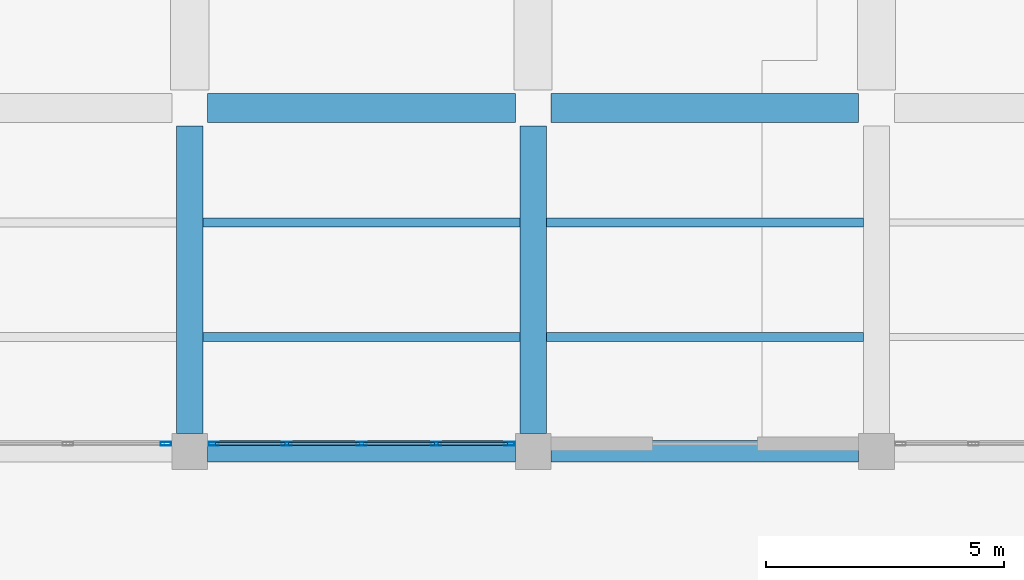
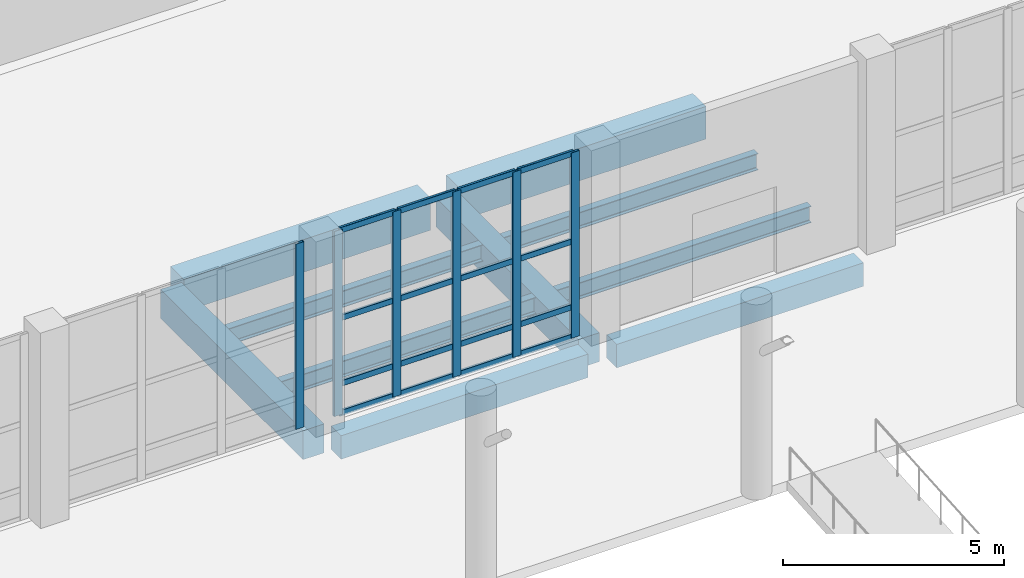
# One storey, part 12 of 137: 22 members, 10 beams, 2 elements without a shape of their own.
"""IFC4 building model written with IfcOpenShell, lengths in metres."""

from ifc_helpers import new_model, si_unit, direction, frame, origin, origin_2d, place, context, subcontext, project, spatial, rectangle, hollow_rectangle, i_section, extrude, material, material_profile, profile_set, type_object, element, aggregate, save


model = new_model("IFC4")

# Units and contexts
model_context = context("Model", 3, precision=1e-05, world=origin(), true_north=direction((0.0, 1.0)))
body_context = subcontext(model_context, "Body", "Model", "MODEL_VIEW")
ifc_project = project(units=[si_unit("LENGTHUNIT", "METRE"), si_unit("AREAUNIT", "SQUARE_METRE"), si_unit("VOLUMEUNIT", "CUBIC_METRE"), si_unit("PLANEANGLEUNIT", "RADIAN"), si_unit("MASSUNIT", "GRAM", prefix="KILO")], contexts=[model_context])

# Site, building, storey
site_placement = place(None, origin())
site = spatial("IfcSite", under=ifc_project, at=site_placement, CompositionType="ELEMENT")
building_placement = place(site_placement, origin())
building = spatial("IfcBuilding", under=site, at=building_placement, Name="Kalmorath City Hall", CompositionType="ELEMENT")
storey_placement = place(building_placement, origin())
storey = spatial("IfcBuildingStorey", under=building, at=storey_placement, Name="L00", CompositionType="ELEMENT", Elevation=0.0)

# Beams
ifc_material_1 = material(Name="Concrete C40/50", Category="concrete")
ifc_material_profile_1 = material_profile(ifc_material_1, rectangle(XDim=0.550048828125, YDim=0.800048828125, at=origin_2d()), Name="RC-BM-550X800")
ifc_profile_set_1 = profile_set([ifc_material_profile_1], Name="Concrete C40/50")
beam_type_1 = type_object("IfcBeamType", Name="Concrete floor girder 550x800", PredefinedType="BEAM", material=ifc_profile_set_1)
for number, where, z_axis, x_axis, name in (
    (1, (50.39990234375, 21.97509765625, -0.7041015625), (0.0, 1.0, 0.0), (-1.0, 0.0, 0.0), "L00 girder CB2 Y8/4-5"),
    (2, (57.60009765625, 21.97509765625, -0.7041015625), (0.0, 1.0, 0.0), (-1.0, 0.0, 0.0), "L00 girder CB2 Y9/4-5"),
):
    element("IfcBeam", number, at=place(storey_placement, frame(where, z_axis=z_axis, x_axis=x_axis)), inside=storey, type_object=beam_type_1, Name=name, PredefinedType="BEAM", context=body_context, shape_type="SweptSolid", body=[
        extrude(rectangle(XDim=0.550048828125, YDim=0.800048828125, at=origin_2d()), origin(), (0.0, 0.0, 1.0), 6.449951171875),
    ])
ifc_material_2 = material(Name="Concrete C40/50", Category="concrete")
ifc_material_profile_2 = material_profile(ifc_material_2, rectangle(XDim=0.60009765625, YDim=0.89990234375, at=origin_2d()), Name="RC-BM-600X900")
ifc_profile_set_2 = profile_set([ifc_material_profile_2], Name="Concrete C40/50")
beam_type_2 = type_object("IfcBeamType", Name="Concrete floor girder 600x900", PredefinedType="BEAM", material=ifc_profile_set_2)
beam_1_placement = place(storey_placement, frame((50.77490234375, 28.800048828125, -0.75390625), z_axis=(1.0, 0.0, 0.0), x_axis=(0.0, 1.0, 0.0)))
element("IfcBeam", 3, at=beam_1_placement, inside=storey, type_object=beam_type_2, Name="L00 girder CB1 X8-9/5", PredefinedType="BEAM", context=body_context, shape_type="SweptSolid", body=[
    extrude(rectangle(XDim=0.60009765625, YDim=0.89990234375, at=origin_2d()), origin(), (0.0, 0.0, 1.0), 6.4501953125),
])
beam_2_placement = place(storey_placement, frame((57.97509765625, 28.800048828125, -0.75390625), z_axis=(1.0, 0.0, 0.0), x_axis=(0.0, 1.0, 0.0)))
element("IfcBeam", 4, at=beam_2_placement, inside=storey, type_object=beam_type_2, Name="L00 girder CB1 X9-10/5", PredefinedType="BEAM", context=body_context, shape_type="SweptSolid", body=[
    extrude(rectangle(XDim=0.60009765625, YDim=0.89990234375, at=origin_2d()), origin(), (0.0, 0.0, 1.0), 6.449951171875),
])
ifc_material_3 = material(Name="Concrete C40/50", Category="concrete")
ifc_material_profile_3 = material_profile(ifc_material_3, rectangle(XDim=0.449951171875, YDim=0.64990234375, at=origin_2d()), Name="RC-BM-450X650")
ifc_profile_set_3 = profile_set([ifc_material_profile_3], Name="Concrete C40/50")
beam_type_3 = type_object("IfcBeamType", Name="Concrete spandrel beam 450x650", PredefinedType="SPANDREL", material=ifc_profile_set_3)
beam_3_placement = place(storey_placement, frame((50.77490234375, 21.60009765625, -0.62890625), z_axis=(1.0, 0.0, 0.0), x_axis=(0.0, 1.0, 0.0)))
element("IfcBeam", 5, at=beam_3_placement, inside=storey, type_object=beam_type_3, Name="L00 girder CB5 X8-9/4", PredefinedType="SPANDREL", context=body_context, shape_type="SweptSolid", body=[
    extrude(rectangle(XDim=0.449951171875, YDim=0.64990234375, at=origin_2d()), origin(), (0.0, 0.0, 1.0), 6.4501953125),
])
beam_4_placement = place(storey_placement, frame((57.97509765625, 21.60009765625, -0.62890625), z_axis=(1.0, 0.0, 0.0), x_axis=(0.0, 1.0, 0.0)))
element("IfcBeam", 6, at=beam_4_placement, inside=storey, type_object=beam_type_3, Name="L00 girder CB5 X9-10/4", PredefinedType="SPANDREL", context=body_context, shape_type="SweptSolid", body=[
    extrude(rectangle(XDim=0.449951171875, YDim=0.64990234375, at=origin_2d()), origin(), (0.0, 0.0, 1.0), 6.449951171875),
])

# Curtain wall, members
ifc_material_4 = material(Name="Anodised aluminium and laminated glass", Category="aluminium")
curtain_wall_type_1 = type_object("IfcCurtainWallType", Name="Unitised hurricane curtain wall 6270x5120 M1500", PredefinedType="NOTDEFINED", material=ifc_material_4)
curtain_wall_1_placement = place(storey_placement, origin())
curtain_wall_1 = element("IfcCurtainWall", 7, at=curtain_wall_1_placement, inside=storey, type_object=curtain_wall_type_1, Name="L00 curtain wall CW-63X51M15 #24", PredefinedType="NOTDEFINED")
ifc_material_5 = material(Name="Anodised aluminium framing", Category="aluminium")
ifc_material_profile_4 = material_profile(ifc_material_5, hollow_rectangle(XDim=0.074951171875, YDim=0.219970703125, WallThickness=0.00390625, InnerFilletRadius=0.00390625, OuterFilletRadius=0.008056640625, at=origin_2d()), Name="ALU-MUL-220X75X4")
ifc_profile_set_4 = profile_set([ifc_material_profile_4], Name="Anodised aluminium framing")
member_type_1 = type_object("IfcMemberType", Name="Curtain-wall primary mullion 220x75", PredefinedType="MULLION", material=ifc_profile_set_4)
member_1_placement = place(storey_placement, frame((57.097412109375, 21.760009765625, 0.0), z_axis=(0.0, 0.0, 1.0), x_axis=(0.0, -1.0, 0.0)))
member_1 = element("IfcMember", 8, at=member_1_placement, type_object=member_type_1, Name="CW-63X51M15 mullion 1", PredefinedType="MULLION", context=body_context, shape_type="SweptSolid", body=[
    extrude(hollow_rectangle(XDim=0.074951171875, YDim=0.219970703125, WallThickness=0.00390625, InnerFilletRadius=0.00390625, OuterFilletRadius=0.008056640625, at=origin_2d()), origin(), (0.0, 0.0, 1.0), 5.1201171875),
])
member_2_placement = place(storey_placement, frame((55.5673828125, 21.760009765625, 0.0), z_axis=(0.0, 0.0, 1.0), x_axis=(0.0, -1.0, 0.0)))
member_2 = element("IfcMember", 9, at=member_2_placement, type_object=member_type_1, Name="CW-63X51M15 mullion 2", PredefinedType="MULLION", context=body_context, shape_type="SweptSolid", body=[
    extrude(hollow_rectangle(XDim=0.074951171875, YDim=0.219970703125, WallThickness=0.00390625, InnerFilletRadius=0.00390625, OuterFilletRadius=0.008056640625, at=origin_2d()), origin(), (0.0, 0.0, 1.0), 5.1201171875),
])
member_3_placement = place(storey_placement, frame((54.0, 21.760009765625, 0.0), z_axis=(0.0, 0.0, 1.0), x_axis=(0.0, -1.0, 0.0)))
member_3 = element("IfcMember", 10, at=member_3_placement, type_object=member_type_1, Name="CW-63X51M15 mullion 3", PredefinedType="MULLION", context=body_context, shape_type="SweptSolid", body=[
    extrude(hollow_rectangle(XDim=0.074951171875, YDim=0.219970703125, WallThickness=0.00390625, InnerFilletRadius=0.00390625, OuterFilletRadius=0.008056640625, at=origin_2d()), origin(), (0.0, 0.0, 1.0), 5.1201171875),
])
member_4_placement = place(storey_placement, frame((52.4326171875, 21.760009765625, 0.0), z_axis=(0.0, 0.0, 1.0), x_axis=(0.0, -1.0, 0.0)))
member_4 = element("IfcMember", 11, at=member_4_placement, type_object=member_type_1, Name="CW-63X51M15 mullion 4", PredefinedType="MULLION", context=body_context, shape_type="SweptSolid", body=[
    extrude(hollow_rectangle(XDim=0.074951171875, YDim=0.219970703125, WallThickness=0.00390625, InnerFilletRadius=0.00390625, OuterFilletRadius=0.008056640625, at=origin_2d()), origin(), (0.0, 0.0, 1.0), 5.1201171875),
])
member_5_placement = place(storey_placement, frame((50.902587890625, 21.760009765625, 0.0), z_axis=(0.0, 0.0, 1.0), x_axis=(0.0, -1.0, 0.0)))
member_5 = element("IfcMember", 12, at=member_5_placement, type_object=member_type_1, Name="CW-63X51M15 mullion 5", PredefinedType="MULLION", context=body_context, shape_type="SweptSolid", body=[
    extrude(hollow_rectangle(XDim=0.074951171875, YDim=0.219970703125, WallThickness=0.00390625, InnerFilletRadius=0.00390625, OuterFilletRadius=0.008056640625, at=origin_2d()), origin(), (0.0, 0.0, 1.0), 5.1201171875),
])

# Curtain wall, member
ifc_material_6 = material(Name="Anodised aluminium and laminated glass", Category="aluminium")
curtain_wall_type_2 = type_object("IfcCurtainWallType", Name="Unitised hurricane curtain wall 6270x5120 M1800", PredefinedType="NOTDEFINED", material=ifc_material_6)
curtain_wall_2_placement = place(storey_placement, origin())
curtain_wall_2 = element("IfcCurtainWall", 13, at=curtain_wall_2_placement, inside=storey, type_object=curtain_wall_type_2, Name="L00 curtain wall CW-63X51M18 #25", PredefinedType="NOTDEFINED")
member_6_placement = place(storey_placement, frame((49.8974609375, 21.760009765625, 0.0), z_axis=(0.0, 0.0, 1.0), x_axis=(0.0, -1.0, 0.0)))
member_6 = element("IfcMember", 14, at=member_6_placement, type_object=member_type_1, Name="CW-63X51M18 mullion 1", PredefinedType="MULLION", context=body_context, shape_type="SweptSolid", body=[
    extrude(hollow_rectangle(XDim=0.074951171875, YDim=0.219970703125, WallThickness=0.00390625, InnerFilletRadius=0.00390625, OuterFilletRadius=0.008056640625, at=origin_2d()), origin(), (0.0, 0.0, 1.0), 5.1201171875),
])
aggregate(curtain_wall_2, [member_6])

# Member
ifc_material_7 = material(Name="Anodised aluminium framing", Category="aluminium")
ifc_material_profile_5 = material_profile(ifc_material_7, hollow_rectangle(XDim=0.06494140625, YDim=0.159912109375, WallThickness=0.00390625, InnerFilletRadius=0.00390625, OuterFilletRadius=0.008056640625, at=origin_2d()), Name="ALU-TRN-160X65X4")
ifc_profile_set_5 = profile_set([ifc_material_profile_5], Name="Anodised aluminium framing")
member_type_2 = type_object("IfcMemberType", Name="Curtain-wall primary transom 160x65", PredefinedType="USERDEFINED", material=ifc_profile_set_5)
member_7_placement = place(storey_placement, frame((57.06005859375, 21.760009765625, 0.032470703125), z_axis=(-1.0, 0.0, 0.0), x_axis=(0.0, -1.0, 0.0)))
member_7 = element("IfcMember", 15, at=member_7_placement, type_object=member_type_2, Name="CW-63X51M15 transom 1.1", ObjectType="TRANSOM", PredefinedType="USERDEFINED", context=body_context, shape_type="SweptSolid", body=[
    extrude(hollow_rectangle(XDim=0.06494140625, YDim=0.159912109375, WallThickness=0.00390625, InnerFilletRadius=0.00390625, OuterFilletRadius=0.008056640625, at=origin_2d()), origin(), (0.0, 0.0, 1.0), 1.455078125),
])

member_8_placement = place(storey_placement, frame((57.06005859375, 21.760009765625, 0.85009765625), z_axis=(-1.0, 0.0, 0.0), x_axis=(0.0, -1.0, 0.0)))
member_8 = element("IfcMember", 16, at=member_8_placement, type_object=member_type_2, Name="CW-63X51M15 transom 1.2", ObjectType="TRANSOM", PredefinedType="USERDEFINED", context=body_context, shape_type="SweptSolid", body=[
    extrude(hollow_rectangle(XDim=0.06494140625, YDim=0.159912109375, WallThickness=0.00390625, InnerFilletRadius=0.00390625, OuterFilletRadius=0.008056640625, at=origin_2d()), origin(), (0.0, 0.0, 1.0), 1.455078125),
])

member_9_placement = place(storey_placement, frame((57.06005859375, 21.760009765625, 2.662109375), z_axis=(-1.0, 0.0, 0.0), x_axis=(0.0, -1.0, 0.0)))
member_9 = element("IfcMember", 17, at=member_9_placement, type_object=member_type_2, Name="CW-63X51M15 transom 1.3", ObjectType="TRANSOM", PredefinedType="USERDEFINED", context=body_context, shape_type="SweptSolid", body=[
    extrude(hollow_rectangle(XDim=0.06494140625, YDim=0.159912109375, WallThickness=0.00390625, InnerFilletRadius=0.00390625, OuterFilletRadius=0.008056640625, at=origin_2d()), origin(), (0.0, 0.0, 1.0), 1.455078125),
])

member_10_placement = place(storey_placement, frame((57.06005859375, 21.760009765625, 5.08740234375), z_axis=(-1.0, 0.0, 0.0), x_axis=(0.0, -1.0, 0.0)))
member_10 = element("IfcMember", 18, at=member_10_placement, type_object=member_type_2, Name="CW-63X51M15 transom 1.4", ObjectType="TRANSOM", PredefinedType="USERDEFINED", context=body_context, shape_type="SweptSolid", body=[
    extrude(hollow_rectangle(XDim=0.06494140625, YDim=0.159912109375, WallThickness=0.00390625, InnerFilletRadius=0.00390625, OuterFilletRadius=0.008056640625, at=origin_2d()), origin(), (0.0, 0.0, 1.0), 1.455078125),
])

member_11_placement = place(storey_placement, frame((55.530029296875, 21.760009765625, 0.032470703125), z_axis=(-1.0, 0.0, 0.0), x_axis=(0.0, -1.0, 0.0)))
member_11 = element("IfcMember", 19, at=member_11_placement, type_object=member_type_2, Name="CW-63X51M15 transom 2.1", ObjectType="TRANSOM", PredefinedType="USERDEFINED", context=body_context, shape_type="SweptSolid", body=[
    extrude(hollow_rectangle(XDim=0.06494140625, YDim=0.159912109375, WallThickness=0.00390625, InnerFilletRadius=0.00390625, OuterFilletRadius=0.008056640625, at=origin_2d()), origin(), (0.0, 0.0, 1.0), 1.492431640625),
])

member_12_placement = place(storey_placement, frame((55.530029296875, 21.760009765625, 0.85009765625), z_axis=(-1.0, 0.0, 0.0), x_axis=(0.0, -1.0, 0.0)))
member_12 = element("IfcMember", 20, at=member_12_placement, type_object=member_type_2, Name="CW-63X51M15 transom 2.2", ObjectType="TRANSOM", PredefinedType="USERDEFINED", context=body_context, shape_type="SweptSolid", body=[
    extrude(hollow_rectangle(XDim=0.06494140625, YDim=0.159912109375, WallThickness=0.00390625, InnerFilletRadius=0.00390625, OuterFilletRadius=0.008056640625, at=origin_2d()), origin(), (0.0, 0.0, 1.0), 1.492431640625),
])

member_13_placement = place(storey_placement, frame((55.530029296875, 21.760009765625, 2.662109375), z_axis=(-1.0, 0.0, 0.0), x_axis=(0.0, -1.0, 0.0)))
member_13 = element("IfcMember", 21, at=member_13_placement, type_object=member_type_2, Name="CW-63X51M15 transom 2.3", ObjectType="TRANSOM", PredefinedType="USERDEFINED", context=body_context, shape_type="SweptSolid", body=[
    extrude(hollow_rectangle(XDim=0.06494140625, YDim=0.159912109375, WallThickness=0.00390625, InnerFilletRadius=0.00390625, OuterFilletRadius=0.008056640625, at=origin_2d()), origin(), (0.0, 0.0, 1.0), 1.492431640625),
])

member_14_placement = place(storey_placement, frame((55.530029296875, 21.760009765625, 5.08740234375), z_axis=(-1.0, 0.0, 0.0), x_axis=(0.0, -1.0, 0.0)))
member_14 = element("IfcMember", 22, at=member_14_placement, type_object=member_type_2, Name="CW-63X51M15 transom 2.4", ObjectType="TRANSOM", PredefinedType="USERDEFINED", context=body_context, shape_type="SweptSolid", body=[
    extrude(hollow_rectangle(XDim=0.06494140625, YDim=0.159912109375, WallThickness=0.00390625, InnerFilletRadius=0.00390625, OuterFilletRadius=0.008056640625, at=origin_2d()), origin(), (0.0, 0.0, 1.0), 1.492431640625),
])

member_15_placement = place(storey_placement, frame((53.96240234375, 21.760009765625, 0.032470703125), z_axis=(-1.0, 0.0, 0.0), x_axis=(0.0, -1.0, 0.0)))
member_15 = element("IfcMember", 23, at=member_15_placement, type_object=member_type_2, Name="CW-63X51M15 transom 3.1", ObjectType="TRANSOM", PredefinedType="USERDEFINED", context=body_context, shape_type="SweptSolid", body=[
    extrude(hollow_rectangle(XDim=0.06494140625, YDim=0.159912109375, WallThickness=0.00390625, InnerFilletRadius=0.00390625, OuterFilletRadius=0.008056640625, at=origin_2d()), origin(), (0.0, 0.0, 1.0), 1.492431640625),
])

member_16_placement = place(storey_placement, frame((53.96240234375, 21.760009765625, 0.85009765625), z_axis=(-1.0, 0.0, 0.0), x_axis=(0.0, -1.0, 0.0)))
member_16 = element("IfcMember", 24, at=member_16_placement, type_object=member_type_2, Name="CW-63X51M15 transom 3.2", ObjectType="TRANSOM", PredefinedType="USERDEFINED", context=body_context, shape_type="SweptSolid", body=[
    extrude(hollow_rectangle(XDim=0.06494140625, YDim=0.159912109375, WallThickness=0.00390625, InnerFilletRadius=0.00390625, OuterFilletRadius=0.008056640625, at=origin_2d()), origin(), (0.0, 0.0, 1.0), 1.492431640625),
])

member_17_placement = place(storey_placement, frame((53.96240234375, 21.760009765625, 2.662109375), z_axis=(-1.0, 0.0, 0.0), x_axis=(0.0, -1.0, 0.0)))
member_17 = element("IfcMember", 25, at=member_17_placement, type_object=member_type_2, Name="CW-63X51M15 transom 3.3", ObjectType="TRANSOM", PredefinedType="USERDEFINED", context=body_context, shape_type="SweptSolid", body=[
    extrude(hollow_rectangle(XDim=0.06494140625, YDim=0.159912109375, WallThickness=0.00390625, InnerFilletRadius=0.00390625, OuterFilletRadius=0.008056640625, at=origin_2d()), origin(), (0.0, 0.0, 1.0), 1.492431640625),
])

member_18_placement = place(storey_placement, frame((53.96240234375, 21.760009765625, 5.08740234375), z_axis=(-1.0, 0.0, 0.0), x_axis=(0.0, -1.0, 0.0)))
member_18 = element("IfcMember", 26, at=member_18_placement, type_object=member_type_2, Name="CW-63X51M15 transom 3.4", ObjectType="TRANSOM", PredefinedType="USERDEFINED", context=body_context, shape_type="SweptSolid", body=[
    extrude(hollow_rectangle(XDim=0.06494140625, YDim=0.159912109375, WallThickness=0.00390625, InnerFilletRadius=0.00390625, OuterFilletRadius=0.008056640625, at=origin_2d()), origin(), (0.0, 0.0, 1.0), 1.492431640625),
])

member_19_placement = place(storey_placement, frame((52.39501953125, 21.760009765625, 0.032470703125), z_axis=(-1.0, 0.0, 0.0), x_axis=(0.0, -1.0, 0.0)))
member_19 = element("IfcMember", 27, at=member_19_placement, type_object=member_type_2, Name="CW-63X51M15 transom 4.1", ObjectType="TRANSOM", PredefinedType="USERDEFINED", context=body_context, shape_type="SweptSolid", body=[
    extrude(hollow_rectangle(XDim=0.06494140625, YDim=0.159912109375, WallThickness=0.00390625, InnerFilletRadius=0.00390625, OuterFilletRadius=0.008056640625, at=origin_2d()), origin(), (0.0, 0.0, 1.0), 1.455078125),
])

member_20_placement = place(storey_placement, frame((52.39501953125, 21.760009765625, 0.85009765625), z_axis=(-1.0, 0.0, 0.0), x_axis=(0.0, -1.0, 0.0)))
member_20 = element("IfcMember", 28, at=member_20_placement, type_object=member_type_2, Name="CW-63X51M15 transom 4.2", ObjectType="TRANSOM", PredefinedType="USERDEFINED", context=body_context, shape_type="SweptSolid", body=[
    extrude(hollow_rectangle(XDim=0.06494140625, YDim=0.159912109375, WallThickness=0.00390625, InnerFilletRadius=0.00390625, OuterFilletRadius=0.008056640625, at=origin_2d()), origin(), (0.0, 0.0, 1.0), 1.455078125),
])

member_21_placement = place(storey_placement, frame((52.39501953125, 21.760009765625, 2.662109375), z_axis=(-1.0, 0.0, 0.0), x_axis=(0.0, -1.0, 0.0)))
member_21 = element("IfcMember", 29, at=member_21_placement, type_object=member_type_2, Name="CW-63X51M15 transom 4.3", ObjectType="TRANSOM", PredefinedType="USERDEFINED", context=body_context, shape_type="SweptSolid", body=[
    extrude(hollow_rectangle(XDim=0.06494140625, YDim=0.159912109375, WallThickness=0.00390625, InnerFilletRadius=0.00390625, OuterFilletRadius=0.008056640625, at=origin_2d()), origin(), (0.0, 0.0, 1.0), 1.455078125),
])

member_22_placement = place(storey_placement, frame((52.39501953125, 21.760009765625, 5.08740234375), z_axis=(-1.0, 0.0, 0.0), x_axis=(0.0, -1.0, 0.0)))
member_22 = element("IfcMember", 30, at=member_22_placement, type_object=member_type_2, Name="CW-63X51M15 transom 4.4", ObjectType="TRANSOM", PredefinedType="USERDEFINED", context=body_context, shape_type="SweptSolid", body=[
    extrude(hollow_rectangle(XDim=0.06494140625, YDim=0.159912109375, WallThickness=0.00390625, InnerFilletRadius=0.00390625, OuterFilletRadius=0.008056640625, at=origin_2d()), origin(), (0.0, 0.0, 1.0), 1.455078125),
])

aggregate(curtain_wall_1, [member_1, member_2, member_3, member_4, member_5, member_7, member_8, member_9, member_10, member_11, member_12, member_13, member_14, member_15, member_16, member_17, member_18, member_19, member_20, member_21, member_22])

# Beams
ifc_material_8 = material(Name="Steel ASTM A992 Grade 50", Category="steel")
ifc_material_profile_6 = material_profile(ifc_material_8, i_section(OverallWidth=0.19091796875, OverallDepth=0.45703125, WebThickness=0.009033203125, FlangeThickness=0.014404296875, FilletRadius=0.013916015625, at=origin_2d()), Name="W18X50")
ifc_profile_set_6 = profile_set([ifc_material_profile_6], Name="Steel ASTM A992 Grade 50")
beam_type_4 = type_object("IfcBeamType", Name="Steel composite joist W18X50", PredefinedType="JOIST", material=ifc_profile_set_6)
for number, where, z_axis, x_axis, name in (
    (31, (57.875, 24.0, -0.532470703125), (1.0, 0.0, 0.0), (0.0, 1.0, 0.0), "L00 joist SJ3 9.4.1"),
    (32, (57.875, 26.39990234375, -0.532470703125), (1.0, 0.0, 0.0), (0.0, 1.0, 0.0), "L00 joist SJ3 9.4.2"),
):
    element("IfcBeam", number, at=place(storey_placement, frame(where, z_axis=z_axis, x_axis=x_axis)), inside=storey, type_object=beam_type_4, Name=name, PredefinedType="JOIST", context=body_context, shape_type="SweptSolid", body=[
        extrude(i_section(OverallWidth=0.19091796875, OverallDepth=0.45703125, WebThickness=0.009033203125, FlangeThickness=0.014404296875, FilletRadius=0.013916015625, at=origin_2d()), origin(), (0.0, 0.0, 1.0), 6.64990234375),
    ])
ifc_material_9 = material(Name="Steel ASTM A992 Grade 50", Category="steel")
ifc_material_profile_7 = material_profile(ifc_material_9, i_section(OverallWidth=0.19091796875, OverallDepth=0.4599609375, WebThickness=0.010009765625, FlangeThickness=0.01611328125, FilletRadius=0.013916015625, at=origin_2d()), Name="W18X55")
ifc_profile_set_7 = profile_set([ifc_material_profile_7], Name="Steel ASTM A992 Grade 50")
beam_type_5 = type_object("IfcBeamType", Name="Steel composite joist W18X55", PredefinedType="JOIST", material=ifc_profile_set_7)
for number, where, z_axis, x_axis, name in (
    (33, (50.675048828125, 24.0, -0.533935546875), (1.0, 0.0, 0.0), (0.0, 1.0, 0.0), "L00 joist SJ2 8.4.1"),
    (34, (50.675048828125, 26.39990234375, -0.533935546875), (1.0, 0.0, 0.0), (0.0, 1.0, 0.0), "L00 joist SJ2 8.4.2"),
):
    element("IfcBeam", number, at=place(storey_placement, frame(where, z_axis=z_axis, x_axis=x_axis)), inside=storey, type_object=beam_type_5, Name=name, PredefinedType="JOIST", context=body_context, shape_type="SweptSolid", body=[
        extrude(i_section(OverallWidth=0.19091796875, OverallDepth=0.4599609375, WebThickness=0.010009765625, FlangeThickness=0.01611328125, FilletRadius=0.013916015625, at=origin_2d()), origin(), (0.0, 0.0, 1.0), 6.64990234375),
    ])

save(model, "model.ifc")
